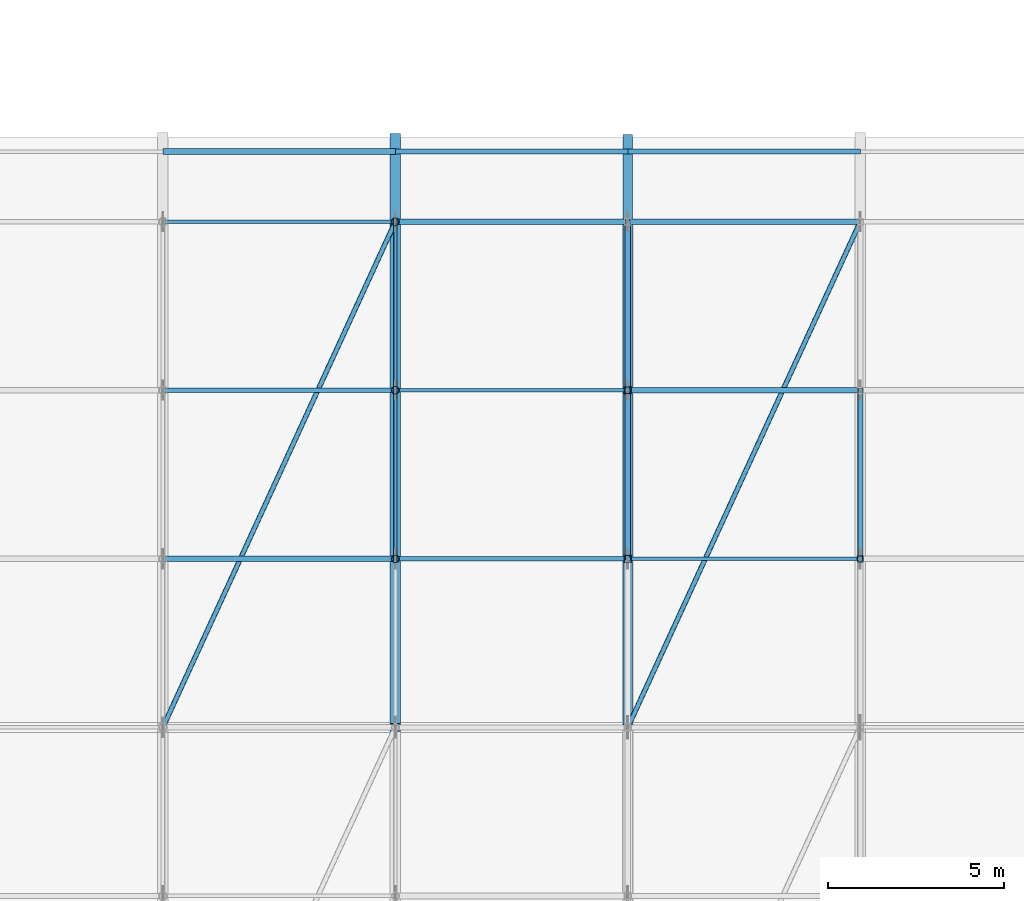
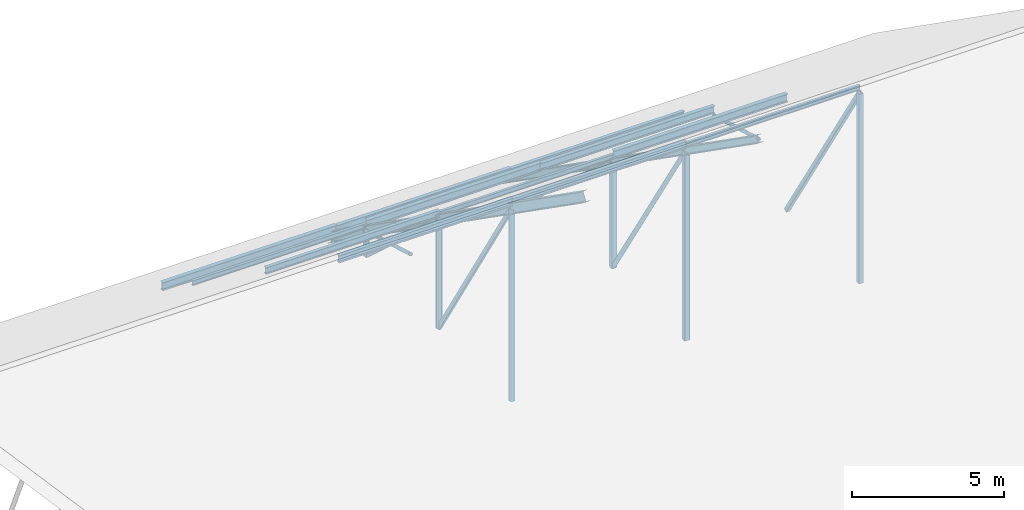
# One storey, part 81 of 134: 27 members.
"""IFC4 building model written with IfcOpenShell, lengths in metres."""

from ifc_helpers import new_model, si_unit, direction, frame, origin, origin_2d, place, context, subcontext, project, spatial, hollow_rectangle, hollow_circle, i_section, extrude, material, material_profile, profile_set, type_object, element, save


model = new_model("IFC4")

# Units and contexts
model_context = context("Model", 3, precision=1e-05, world=origin(), true_north=direction((0.0, 1.0)))
body_context = subcontext(model_context, "Body", "Model", "MODEL_VIEW")
ifc_project = project(units=[si_unit("LENGTHUNIT", "METRE"), si_unit("AREAUNIT", "SQUARE_METRE"), si_unit("VOLUMEUNIT", "CUBIC_METRE"), si_unit("PLANEANGLEUNIT", "RADIAN"), si_unit("MASSUNIT", "GRAM", prefix="KILO")], contexts=[model_context])

# Site, building, storey
site_placement = place(None, origin())
site = spatial("IfcSite", under=ifc_project, at=site_placement, CompositionType="ELEMENT")
building_placement = place(site_placement, origin())
building = spatial("IfcBuilding", under=site, at=building_placement, Name="Asteropetra Specialist Clinic", CompositionType="ELEMENT")
storey_placement = place(building_placement, frame((0.0, 0.0, 8.5)))
storey = spatial("IfcBuildingStorey", under=building, at=storey_placement, Name="L02", CompositionType="ELEMENT", Elevation=8.5)

# Members
ifc_material_1 = material(Name="Steel S355", Category="steel")
ifc_material_profile_1 = material_profile(ifc_material_1, hollow_circle(Radius=0.06982421875, WallThickness=0.008056640625, at=origin_2d()), Name="CHS 139.7x8.0")
ifc_profile_set_1 = profile_set([ifc_material_profile_1], Name="Steel S355")
member_type_1 = type_object("IfcMemberType", Name="TR-BRC-CHS139", PredefinedType="BRACE", material=ifc_profile_set_1)
for number, where, z_axis, x_axis, name in (
    (1, (126.6201171875, 91.199951171875, 11.4609375), (0.352098418642, 0.765916320367, -0.537958078093), (-0.908590902632, 0.417687169606, 0.0), "Roof Wind Brace TRV1-RB2-07"),
    (2, (139.860107421875, 91.199951171875, 11.4609375), (0.352098418642, 0.765916320367, -0.537958078093), (-0.908590902632, 0.417687169606, 0.0), "Roof Wind Brace TRV1-RB2-09"),
):
    element("IfcMember", number, at=place(storey_placement, frame(where, z_axis=z_axis, x_axis=x_axis)), inside=storey, type_object=member_type_1, Name=name, PredefinedType="BRACE", context=body_context, shape_type="SweptSolid", body=[
        extrude(hollow_circle(Radius=0.06982421875, WallThickness=0.008056640625, at=origin_2d()), origin(), (0.0, 0.0, 1.0), 18.80126953125),
    ])
ifc_material_2 = material(Name="Steel S355", Category="steel")
ifc_material_profile_2 = material_profile(ifc_material_2, hollow_circle(Radius=0.084228515625, WallThickness=0.008056640625, at=origin_2d()), Name="CHS 168.3x8.0")
ifc_profile_set_2 = profile_set([ifc_material_profile_2], Name="Steel S355")
member_type_2 = type_object("IfcMemberType", Name="TR-BRC-CHS168", PredefinedType="BRACE", material=ifc_profile_set_2)
member_1_placement = place(storey_placement, frame((139.860107421875, 96.0, 8.089599609375), z_axis=(0.0, 0.534274121809, -0.845311281579), x_axis=(-1.0, 0.0, 0.0)))
element("IfcMember", 3, at=member_1_placement, inside=storey, type_object=member_type_2, Name="Truss Web Diagonal TRV1-D09-4", PredefinedType="BRACE", context=body_context, shape_type="SweptSolid", body=[
    extrude(hollow_circle(Radius=0.084228515625, WallThickness=0.008056640625, at=origin_2d()), origin(), (0.0, 0.0, 1.0), 8.984130859375),
])
member_2_placement = place(storey_placement, frame((139.860107421875, 100.800048828125, 4.718017578125), z_axis=(0.0, 0.750802143462, -0.660527169292), x_axis=(-1.0, 0.0, 0.0)))
element("IfcMember", 4, at=member_2_placement, inside=storey, type_object=member_type_2, Name="Truss Web Diagonal TRV1-D09-5", PredefinedType="BRACE", context=body_context, shape_type="SweptSolid", body=[
    extrude(hollow_circle(Radius=0.084228515625, WallThickness=0.008056640625, at=origin_2d()), origin(), (0.0, 0.0, 1.0), 6.393310546875),
])
ifc_material_3 = material(Name="Steel S355", Category="steel")
ifc_material_profile_3 = material_profile(ifc_material_3, hollow_rectangle(XDim=0.10009765625, YDim=0.179931640625, WallThickness=0.008056640625, InnerFilletRadius=0.008056640625, OuterFilletRadius=0.01611328125, at=origin_2d()), Name="RHS 180x100x8.0")
ifc_profile_set_3 = profile_set([ifc_material_profile_3], Name="Steel S355")
member_type_3 = type_object("IfcMemberType", Name="TR-BRC-RHS180", PredefinedType="BRACE", material=ifc_profile_set_3)
member_3_placement = place(storey_placement, frame((133.239990234375, 96.0, 8.089599609375), z_axis=(0.0, 0.528049301572, -0.849213715804), x_axis=(-1.0, 0.0, 0.0)))
element("IfcMember", 5, at=member_3_placement, inside=storey, type_object=member_type_3, Name="Truss Web Diagonal TRV1-D08-4", PredefinedType="BRACE", context=body_context, shape_type="SweptSolid", body=[
    extrude(hollow_rectangle(XDim=0.10009765625, YDim=0.179931640625, WallThickness=0.008056640625, InnerFilletRadius=0.008056640625, OuterFilletRadius=0.01611328125, at=origin_2d()), origin(), (0.0, 0.0, 1.0), 9.090087890625),
])
member_4_placement = place(storey_placement, frame((133.239990234375, 100.800048828125, 4.718017578125), z_axis=(0.0, 0.741151641795, -0.671337652649), x_axis=(-1.0, 0.0, 0.0)))
element("IfcMember", 6, at=member_4_placement, inside=storey, type_object=member_type_3, Name="Truss Web Diagonal TRV1-D08-5", PredefinedType="BRACE", context=body_context, shape_type="SweptSolid", body=[
    extrude(hollow_rectangle(XDim=0.10009765625, YDim=0.179931640625, WallThickness=0.008056640625, InnerFilletRadius=0.008056640625, OuterFilletRadius=0.01611328125, at=origin_2d()), origin(), (0.0, 0.0, 1.0), 6.4765625),
])
ifc_material_4 = material(Name="Steel S355", Category="steel")
ifc_material_profile_4 = material_profile(ifc_material_4, hollow_rectangle(XDim=0.159912109375, YDim=0.159912109375, WallThickness=0.008056640625, InnerFilletRadius=0.008056640625, OuterFilletRadius=0.01611328125, at=origin_2d()), Name="SHS 160x160x8.0")
ifc_profile_set_4 = profile_set([ifc_material_profile_4], Name="Steel S355")
member_type_4 = type_object("IfcMemberType", Name="TR-BRC-SHS160", PredefinedType="BRACE", material=ifc_profile_set_4)
member_5_placement = place(storey_placement, frame((146.47998046875, 96.0, 8.089599609375), z_axis=(0.0, 0.533012426562, -0.846107412289), x_axis=(-1.0, 0.0, 0.0)))
element("IfcMember", 7, at=member_5_placement, inside=storey, type_object=member_type_4, Name="Truss Web Diagonal TRV1-D10-4", PredefinedType="BRACE", context=body_context, shape_type="SweptSolid", body=[
    extrude(hollow_rectangle(XDim=0.159912109375, YDim=0.159912109375, WallThickness=0.008056640625, InnerFilletRadius=0.008056640625, OuterFilletRadius=0.01611328125, at=origin_2d()), origin(), (0.0, 0.0, 1.0), 9.005615234375),
])
ifc_material_5 = material(Name="Steel S355", Category="steel")
ifc_material_profile_5 = material_profile(ifc_material_5, i_section(OverallWidth=0.300048828125, OverallDepth=0.389892578125, WebThickness=0.010986328125, FlangeThickness=0.01904296875, FilletRadius=0.027099609375, at=origin_2d()), Name="HEA 400")
ifc_profile_set_5 = profile_set([ifc_material_profile_5], Name="Steel S355")
member_type_5 = type_object("IfcMemberType", Name="TR-CHD-HEA400", PredefinedType="CHORD", material=ifc_profile_set_5)
member_6_placement = place(storey_placement, frame((133.239990234375, 91.199951171875, 11.4609375), z_axis=(0.0, 0.818315202226, -0.574769718936), x_axis=(-1.0, 0.0, 0.0)))
element("IfcMember", 8, at=member_6_placement, inside=storey, type_object=member_type_5, Name="Truss North Top Chord TRV1-TCN08", PredefinedType="CHORD", context=body_context, shape_type="SweptSolid", body=[
    extrude(i_section(OverallWidth=0.300048828125, OverallDepth=0.389892578125, WebThickness=0.010986328125, FlangeThickness=0.01904296875, FilletRadius=0.027099609375, at=origin_2d()), origin(), (0.0, 0.0, 1.0), 20.530029296875),
])
ifc_material_6 = material(Name="Steel S355", Category="steel")
ifc_material_profile_6 = material_profile(ifc_material_6, i_section(OverallWidth=0.280029296875, OverallDepth=0.280029296875, WebThickness=0.010498046875, FlangeThickness=0.01806640625, FilletRadius=0.02392578125, at=origin_2d()), Name="HEB 280")
ifc_profile_set_6 = profile_set([ifc_material_profile_6], Name="Steel S355")
member_type_6 = type_object("IfcMemberType", Name="TR-CHD-HEB280", PredefinedType="CHORD", material=ifc_profile_set_6)
member_7_placement = place(storey_placement, frame((139.860107421875, 91.199951171875, 11.4609375), z_axis=(0.0, 0.818315202226, -0.574769718936), x_axis=(-1.0, 0.0, 0.0)))
element("IfcMember", 9, at=member_7_placement, inside=storey, type_object=member_type_6, Name="Truss North Top Chord TRV1-TCN09", PredefinedType="CHORD", context=body_context, shape_type="SweptSolid", body=[
    extrude(i_section(OverallWidth=0.280029296875, OverallDepth=0.280029296875, WebThickness=0.010498046875, FlangeThickness=0.01806640625, FilletRadius=0.02392578125, at=origin_2d()), origin(), (0.0, 0.0, 1.0), 20.530029296875),
])
ifc_material_7 = material(Name="Steel S355", Category="steel")
ifc_material_profile_7 = material_profile(ifc_material_7, i_section(OverallWidth=0.10009765625, OverallDepth=0.199951171875, WebThickness=0.005615234375, FlangeThickness=0.008544921875, FilletRadius=0.011962890625, at=origin_2d()), Name="IPE 200")
ifc_profile_set_7 = profile_set([ifc_material_profile_7], Name="Steel S355")
member_type_7 = type_object("IfcMemberType", Name="TR-PUR-IPE200", PredefinedType="PURLIN", material=ifc_profile_set_7)
member_8_placement = place(storey_placement, frame((126.6201171875, 105.60009765625, 1.58154296875), z_axis=(1.0, 0.0, 0.0), x_axis=(0.0, 1.0, 0.0)))
element("IfcMember", 10, at=member_8_placement, inside=storey, type_object=member_type_7, Name="Roof Purlin TRV1-P07-08", PredefinedType="PURLIN", context=body_context, shape_type="SweptSolid", body=[
    extrude(i_section(OverallWidth=0.10009765625, OverallDepth=0.199951171875, WebThickness=0.005615234375, FlangeThickness=0.008544921875, FilletRadius=0.011962890625, at=origin_2d()), origin(), (0.0, 0.0, 1.0), 6.619873046875),
])
member_9_placement = place(storey_placement, frame((133.239990234375, 100.800048828125, 4.953125), z_axis=(1.0, 0.0, 0.0), x_axis=(0.0, 1.0, 0.0)))
element("IfcMember", 11, at=member_9_placement, inside=storey, type_object=member_type_7, Name="Roof Purlin TRV1-P08-07", PredefinedType="PURLIN", context=body_context, shape_type="SweptSolid", body=[
    extrude(i_section(OverallWidth=0.10009765625, OverallDepth=0.199951171875, WebThickness=0.005615234375, FlangeThickness=0.008544921875, FilletRadius=0.011962890625, at=origin_2d()), origin(), (0.0, 0.0, 1.0), 6.6201171875),
])
member_10_placement = place(storey_placement, frame((139.860107421875, 96.0, 8.324462890625), z_axis=(1.0, 0.0, 0.0), x_axis=(0.0, 1.0, 0.0)))
element("IfcMember", 12, at=member_10_placement, inside=storey, type_object=member_type_7, Name="Roof Purlin TRV1-P09-06", PredefinedType="PURLIN", context=body_context, shape_type="SweptSolid", body=[
    extrude(i_section(OverallWidth=0.10009765625, OverallDepth=0.199951171875, WebThickness=0.005615234375, FlangeThickness=0.008544921875, FilletRadius=0.011962890625, at=origin_2d()), origin(), (0.0, 0.0, 1.0), 6.619873046875),
])
ifc_material_8 = material(Name="Steel S355", Category="steel")
ifc_material_profile_8 = material_profile(ifc_material_8, i_section(OverallWidth=0.135009765625, OverallDepth=0.27001953125, WebThickness=0.006591796875, FlangeThickness=0.01025390625, FilletRadius=0.014892578125, at=origin_2d()), Name="IPE 270")
ifc_profile_set_8 = profile_set([ifc_material_profile_8], Name="Steel S355")
member_type_8 = type_object("IfcMemberType", Name="TR-PUR-IPE270", PredefinedType="PURLIN", material=ifc_profile_set_8)
member_11_placement = place(storey_placement, frame((126.6201171875, 100.800048828125, 4.988037109375), z_axis=(1.0, 0.0, 0.0), x_axis=(0.0, 1.0, 0.0)))
element("IfcMember", 13, at=member_11_placement, inside=storey, type_object=member_type_8, Name="Roof Purlin TRV1-P07-07", PredefinedType="PURLIN", context=body_context, shape_type="SweptSolid", body=[
    extrude(i_section(OverallWidth=0.135009765625, OverallDepth=0.27001953125, WebThickness=0.006591796875, FlangeThickness=0.01025390625, FilletRadius=0.014892578125, at=origin_2d()), origin(), (0.0, 0.0, 1.0), 6.619873046875),
])
member_12_placement = place(storey_placement, frame((133.239990234375, 96.0, 8.359619140625), z_axis=(1.0, 0.0, 0.0), x_axis=(0.0, 1.0, 0.0)))
element("IfcMember", 14, at=member_12_placement, inside=storey, type_object=member_type_8, Name="Roof Purlin TRV1-P08-06", PredefinedType="PURLIN", context=body_context, shape_type="SweptSolid", body=[
    extrude(i_section(OverallWidth=0.135009765625, OverallDepth=0.27001953125, WebThickness=0.006591796875, FlangeThickness=0.01025390625, FilletRadius=0.014892578125, at=origin_2d()), origin(), (0.0, 0.0, 1.0), 6.6201171875),
])
member_13_placement = place(storey_placement, frame((139.860107421875, 107.60009765625, 0.2119140625), z_axis=(1.0, 0.0, 0.0), x_axis=(0.0, 1.0, 0.0)))
element("IfcMember", 15, at=member_13_placement, inside=storey, type_object=member_type_8, Name="Roof Purlin TRV1-P09-09", PredefinedType="PURLIN", context=body_context, shape_type="SweptSolid", body=[
    extrude(i_section(OverallWidth=0.135009765625, OverallDepth=0.27001953125, WebThickness=0.006591796875, FlangeThickness=0.01025390625, FilletRadius=0.014892578125, at=origin_2d()), origin(), (0.0, 0.0, 1.0), 6.619873046875),
])
ifc_material_9 = material(Name="Steel S355", Category="steel")
ifc_material_profile_9 = material_profile(ifc_material_9, i_section(OverallWidth=0.14990234375, OverallDepth=0.300048828125, WebThickness=0.007080078125, FlangeThickness=0.0107421875, FilletRadius=0.014892578125, at=origin_2d()), Name="IPE 300")
ifc_profile_set_9 = profile_set([ifc_material_profile_9], Name="Steel S355")
member_type_9 = type_object("IfcMemberType", Name="TR-PUR-IPE300", PredefinedType="PURLIN", material=ifc_profile_set_9)
member_14_placement = place(storey_placement, frame((126.6201171875, 96.0, 8.37451171875), z_axis=(1.0, 0.0, 0.0), x_axis=(0.0, 1.0, 0.0)))
element("IfcMember", 16, at=member_14_placement, inside=storey, type_object=member_type_9, Name="Roof Purlin TRV1-P07-06", PredefinedType="PURLIN", context=body_context, shape_type="SweptSolid", body=[
    extrude(i_section(OverallWidth=0.14990234375, OverallDepth=0.300048828125, WebThickness=0.007080078125, FlangeThickness=0.0107421875, FilletRadius=0.014892578125, at=origin_2d()), origin(), (0.0, 0.0, 1.0), 6.619873046875),
])
member_15_placement = place(storey_placement, frame((133.239990234375, 107.60009765625, 0.226806640625), z_axis=(1.0, 0.0, 0.0), x_axis=(0.0, 1.0, 0.0)))
element("IfcMember", 17, at=member_15_placement, inside=storey, type_object=member_type_9, Name="Roof Purlin TRV1-P08-09", PredefinedType="PURLIN", context=body_context, shape_type="SweptSolid", body=[
    extrude(i_section(OverallWidth=0.14990234375, OverallDepth=0.300048828125, WebThickness=0.007080078125, FlangeThickness=0.0107421875, FilletRadius=0.014892578125, at=origin_2d()), origin(), (0.0, 0.0, 1.0), 6.6201171875),
])
member_16_placement = place(storey_placement, frame((139.860107421875, 105.60009765625, 1.631591796875), z_axis=(1.0, 0.0, 0.0), x_axis=(0.0, 1.0, 0.0)))
element("IfcMember", 18, at=member_16_placement, inside=storey, type_object=member_type_9, Name="Roof Purlin TRV1-P09-08", PredefinedType="PURLIN", context=body_context, shape_type="SweptSolid", body=[
    extrude(i_section(OverallWidth=0.14990234375, OverallDepth=0.300048828125, WebThickness=0.007080078125, FlangeThickness=0.0107421875, FilletRadius=0.014892578125, at=origin_2d()), origin(), (0.0, 0.0, 1.0), 6.619873046875),
])
ifc_material_10 = material(Name="Steel S355", Category="steel")
ifc_material_profile_10 = material_profile(ifc_material_10, i_section(OverallWidth=0.159912109375, OverallDepth=0.330078125, WebThickness=0.007568359375, FlangeThickness=0.011474609375, FilletRadius=0.01806640625, at=origin_2d()), Name="IPE 330")
ifc_profile_set_10 = profile_set([ifc_material_profile_10], Name="Steel S355")
member_type_10 = type_object("IfcMemberType", Name="TR-PUR-IPE330", PredefinedType="PURLIN", material=ifc_profile_set_10)
member_17_placement = place(storey_placement, frame((126.6201171875, 107.60009765625, 0.241943359375), z_axis=(1.0, 0.0, 0.0), x_axis=(0.0, 1.0, 0.0)))
element("IfcMember", 19, at=member_17_placement, inside=storey, type_object=member_type_10, Name="Roof Purlin TRV1-P07-09", PredefinedType="PURLIN", context=body_context, shape_type="SweptSolid", body=[
    extrude(i_section(OverallWidth=0.159912109375, OverallDepth=0.330078125, WebThickness=0.007568359375, FlangeThickness=0.011474609375, FilletRadius=0.01806640625, at=origin_2d()), origin(), (0.0, 0.0, 1.0), 6.619873046875),
])
member_18_placement = place(storey_placement, frame((133.239990234375, 105.60009765625, 1.646484375), z_axis=(1.0, 0.0, 0.0), x_axis=(0.0, 1.0, 0.0)))
element("IfcMember", 20, at=member_18_placement, inside=storey, type_object=member_type_10, Name="Roof Purlin TRV1-P08-08", PredefinedType="PURLIN", context=body_context, shape_type="SweptSolid", body=[
    extrude(i_section(OverallWidth=0.159912109375, OverallDepth=0.330078125, WebThickness=0.007568359375, FlangeThickness=0.011474609375, FilletRadius=0.01806640625, at=origin_2d()), origin(), (0.0, 0.0, 1.0), 6.6201171875),
])
member_19_placement = place(storey_placement, frame((139.860107421875, 100.800048828125, 5.01806640625), z_axis=(1.0, 0.0, 0.0), x_axis=(0.0, 1.0, 0.0)))
element("IfcMember", 21, at=member_19_placement, inside=storey, type_object=member_type_10, Name="Roof Purlin TRV1-P09-07", PredefinedType="PURLIN", context=body_context, shape_type="SweptSolid", body=[
    extrude(i_section(OverallWidth=0.159912109375, OverallDepth=0.330078125, WebThickness=0.007568359375, FlangeThickness=0.011474609375, FilletRadius=0.01806640625, at=origin_2d()), origin(), (0.0, 0.0, 1.0), 6.619873046875),
])
ifc_material_11 = material(Name="Steel S355", Category="steel")
ifc_material_profile_11 = material_profile(ifc_material_11, hollow_circle(Radius=0.109619140625, WallThickness=0.010009765625, at=origin_2d()), Name="CHS 219.1x10.0")
ifc_profile_set_11 = profile_set([ifc_material_profile_11], Name="Steel S355")
member_type_11 = type_object("IfcMemberType", Name="TR-STR-CHS219", PredefinedType="STRUT", material=ifc_profile_set_11)
member_20_placement = place(storey_placement, frame((133.239990234375, 96.0, 0.3701171875), z_axis=(0.0, 0.0, 1.0), x_axis=(1.0, 0.0, 0.0)))
element("IfcMember", 22, at=member_20_placement, inside=storey, type_object=member_type_11, Name="Truss Web Strut TRV1-V08-4", PredefinedType="STRUT", context=body_context, shape_type="SweptSolid", body=[
    extrude(hollow_circle(Radius=0.109619140625, WallThickness=0.010009765625, at=origin_2d()), origin(), (0.0, 0.0, 1.0), 7.719482421875),
])
member_21_placement = place(storey_placement, frame((133.239990234375, 100.800048828125, 0.3701171875), z_axis=(0.0, 0.0, 1.0), x_axis=(1.0, 0.0, 0.0)))
element("IfcMember", 23, at=member_21_placement, inside=storey, type_object=member_type_11, Name="Truss Web Strut TRV1-V08-5", PredefinedType="STRUT", context=body_context, shape_type="SweptSolid", body=[
    extrude(hollow_circle(Radius=0.109619140625, WallThickness=0.010009765625, at=origin_2d()), origin(), (0.0, 0.0, 1.0), 4.347900390625),
])
member_22_placement = place(storey_placement, frame((133.239990234375, 105.60009765625, 0.3701171875), z_axis=(0.0, 0.0, 1.0), x_axis=(1.0, 0.0, 0.0)))
element("IfcMember", 24, at=member_22_placement, inside=storey, type_object=member_type_11, Name="Truss Web Strut TRV1-V08-6", PredefinedType="STRUT", context=body_context, shape_type="SweptSolid", body=[
    extrude(hollow_circle(Radius=0.109619140625, WallThickness=0.010009765625, at=origin_2d()), origin(), (0.0, 0.0, 1.0), 0.9765625),
])
ifc_material_12 = material(Name="Steel S355", Category="steel")
ifc_material_profile_12 = material_profile(ifc_material_12, hollow_rectangle(XDim=0.179931640625, YDim=0.179931640625, WallThickness=0.010009765625, InnerFilletRadius=0.008056640625, OuterFilletRadius=0.01611328125, at=origin_2d()), Name="SHS 180x180x10.0")
ifc_profile_set_12 = profile_set([ifc_material_profile_12], Name="Steel S355")
member_type_12 = type_object("IfcMemberType", Name="TR-STR-SHS180", PredefinedType="STRUT", material=ifc_profile_set_12)
member_23_placement = place(storey_placement, frame((146.47998046875, 96.0, 0.469970703125), z_axis=(0.0, 0.0, 1.0), x_axis=(1.0, 0.0, 0.0)))
element("IfcMember", 25, at=member_23_placement, inside=storey, type_object=member_type_12, Name="Truss Web Strut TRV1-V10-4", PredefinedType="STRUT", context=body_context, shape_type="SweptSolid", body=[
    extrude(hollow_rectangle(XDim=0.179931640625, YDim=0.179931640625, WallThickness=0.010009765625, InnerFilletRadius=0.008056640625, OuterFilletRadius=0.01611328125, at=origin_2d()), origin(), (0.0, 0.0, 1.0), 7.61962890625),
])
ifc_material_13 = material(Name="Steel S355", Category="steel")
ifc_material_profile_13 = material_profile(ifc_material_13, hollow_rectangle(XDim=0.199951171875, YDim=0.199951171875, WallThickness=0.010009765625, InnerFilletRadius=0.008056640625, OuterFilletRadius=0.01611328125, at=origin_2d()), Name="SHS 200x200x10.0")
ifc_profile_set_13 = profile_set([ifc_material_profile_13], Name="Steel S355")
member_type_13 = type_object("IfcMemberType", Name="TR-STR-SHS200", PredefinedType="STRUT", material=ifc_profile_set_13)
member_24_placement = place(storey_placement, frame((139.860107421875, 96.0, 0.4951171875), z_axis=(0.0, 0.0, 1.0), x_axis=(1.0, 0.0, 0.0)))
element("IfcMember", 26, at=member_24_placement, inside=storey, type_object=member_type_13, Name="Truss Web Strut TRV1-V09-4", PredefinedType="STRUT", context=body_context, shape_type="SweptSolid", body=[
    extrude(hollow_rectangle(XDim=0.199951171875, YDim=0.199951171875, WallThickness=0.010009765625, InnerFilletRadius=0.008056640625, OuterFilletRadius=0.01611328125, at=origin_2d()), origin(), (0.0, 0.0, 1.0), 7.594482421875),
])
member_25_placement = place(storey_placement, frame((139.860107421875, 100.800048828125, 0.4951171875), z_axis=(0.0, 0.0, 1.0), x_axis=(1.0, 0.0, 0.0)))
element("IfcMember", 27, at=member_25_placement, inside=storey, type_object=member_type_13, Name="Truss Web Strut TRV1-V09-5", PredefinedType="STRUT", context=body_context, shape_type="SweptSolid", body=[
    extrude(hollow_rectangle(XDim=0.199951171875, YDim=0.199951171875, WallThickness=0.010009765625, InnerFilletRadius=0.008056640625, OuterFilletRadius=0.01611328125, at=origin_2d()), origin(), (0.0, 0.0, 1.0), 4.222900390625),
])

save(model, "model.ifc")
